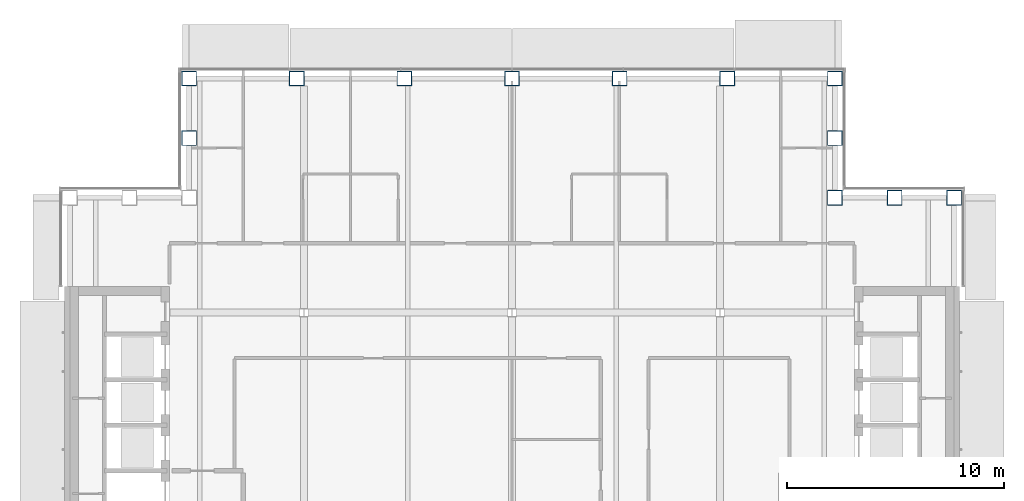
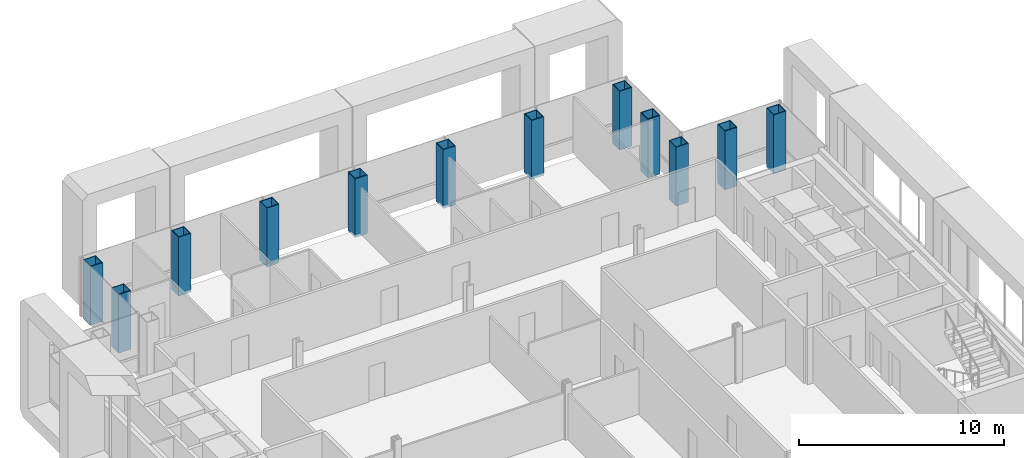
# One storey, part 2 of 19: 12 columns.
"""IFC4 building model written with IfcOpenShell, lengths in metres."""

from ifc_helpers import new_model, si_unit, direction, frame, origin, origin_2d, place, context, subcontext, project, spatial, hollow_rectangle, extrude, material, material_profile, profile_set, type_object, element, save


model = new_model("IFC4")

# Units and contexts
model_context = context("Model", 3, precision=1e-05, world=origin(), true_north=direction((0.0, 1.0)))
body_context = subcontext(model_context, "Body", "Model", "MODEL_VIEW")
ifc_project = project(units=[si_unit("LENGTHUNIT", "METRE"), si_unit("AREAUNIT", "SQUARE_METRE"), si_unit("VOLUMEUNIT", "CUBIC_METRE"), si_unit("PLANEANGLEUNIT", "RADIAN"), si_unit("MASSUNIT", "GRAM", prefix="KILO")], contexts=[model_context])

# Site, building, storey
site_placement = place(None, origin())
site = spatial("IfcSite", under=ifc_project, at=site_placement, CompositionType="ELEMENT")
building_placement = place(site_placement, origin())
building = spatial("IfcBuilding", under=site, at=building_placement, Name="Cobrizo Arcos Hotel Tower", CompositionType="ELEMENT")
storey_placement = place(building_placement, frame((0.0, 0.0, 198.0)))
storey = spatial("IfcBuildingStorey", under=building, at=storey_placement, Name="L51", CompositionType="ELEMENT", Elevation=198.0)

# Columns
ifc_material = material(Name="Steel ASTM A572 Grade 50", Category="steel")
ifc_material_profile = material_profile(ifc_material, hollow_rectangle(XDim=0.699951171875, YDim=0.699951171875, WallThickness=0.0400390625, at=origin_2d()), Name="BOX 700X700X40")
ifc_profile_set = profile_set([ifc_material_profile], Name="Steel ASTM A572 Grade 50")
column_type = type_object("IfcColumnType", Name="BOX 700X700X40 column", PredefinedType="COLUMN", material=ifc_profile_set)
for number, where, z_axis, x_axis, name in (
    (1, (-14.89990234375, 20.39990234375, -0.14990234375), (0.0, 0.0, 1.0), (1.0, 0.0, 0.0), "Perimeter column C10, L51, no. 00"),
    (2, (-9.93310546875, 20.39990234375, -0.14990234375), (0.0, 0.0, 1.0), (1.0, 0.0, 0.0), "Perimeter column C10, L51, no. 02"),
    (3, (-4.967041015625, 20.39990234375, -0.14990234375), (0.0, 0.0, 1.0), (1.0, 0.0, 0.0), "Perimeter column C10, L51, no. 04"),
    (4, (0.0, 20.39990234375, -0.14990234375), (0.0, 0.0, 1.0), (1.0, 0.0, 0.0), "Perimeter column C10, L51, no. 06"),
    (5, (4.967041015625, 20.39990234375, -0.14990234375), (0.0, 0.0, 1.0), (1.0, 0.0, 0.0), "Perimeter column C10, L51, no. 08"),
    (6, (9.93310546875, 20.39990234375, -0.14990234375), (0.0, 0.0, 1.0), (1.0, 0.0, 0.0), "Perimeter column C10, L51, no. 10"),
    (7, (14.89990234375, 20.39990234375, -0.14990234375), (0.0, 0.0, 1.0), (1.0, 0.0, 0.0), "Perimeter column C10, L51, no. 12"),
    (8, (20.39990234375, 14.89990234375, -0.14990234375), (0.0, 0.0, 1.0), (1.0, 0.0, 0.0), "Perimeter column C10, L51, no. 16"),
    (9, (-14.89990234375, 17.64990234375, -0.14990234375), (0.0, 0.0, 1.0), (1.0, 0.0, 0.0), "Perimeter column C10, L51, no. 22"),
    (10, (14.89990234375, 14.89990234375, -0.14990234375), (0.0, 0.0, 1.0), (1.0, 0.0, 0.0), "Perimeter column C10, L51, no. 27"),
    (11, (14.89990234375, 17.64990234375, -0.14990234375), (0.0, 0.0, 1.0), (1.0, 0.0, 0.0), "Perimeter column C10, L51, no. 28"),
    (12, (17.64990234375, 14.89990234375, -0.14990234375), (0.0, 0.0, 1.0), (1.0, 0.0, 0.0), "Perimeter column C10, L51, no. 29"),
):
    element("IfcColumn", number, at=place(storey_placement, frame(where, z_axis=z_axis, x_axis=x_axis)), inside=storey, type_object=column_type, Name=name, PredefinedType="COLUMN", context=body_context, shape_type="SweptSolid", body=[
        extrude(hollow_rectangle(XDim=0.699951171875, YDim=0.699951171875, WallThickness=0.0400390625, at=origin_2d()), origin(), (0.0, 0.0, 1.0), 3.5),
    ])

save(model, "model.ifc")
